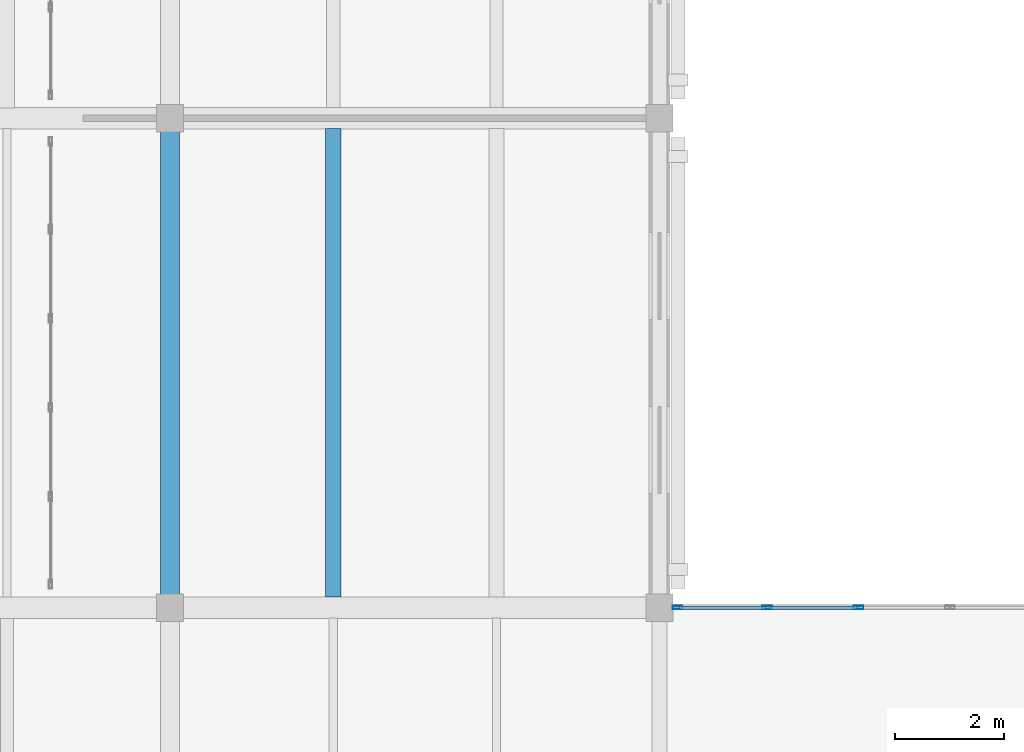
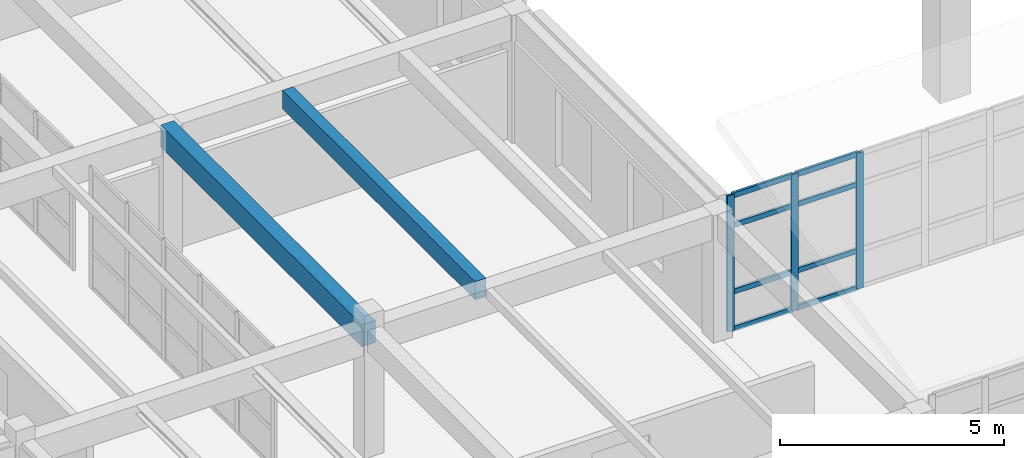
# One storey, part 7 of 156: 11 members, 2 beams, 1 element without a shape of its own.
"""IFC4 building model written with IfcOpenShell, lengths in metres."""

from ifc_helpers import new_model, si_unit, direction, frame, origin, origin_2d, place, context, subcontext, project, spatial, rectangle, hollow_rectangle, extrude, material, layer, layer_set, material_profile, profile_set, type_object, element, aggregate, save


model = new_model("IFC4")

# Units and contexts
model_context = context("Model", 3, precision=1e-05, world=origin(), true_north=direction((0.0, 1.0)))
body_context = subcontext(model_context, "Body", "Model", "MODEL_VIEW")
ifc_project = project(units=[si_unit("LENGTHUNIT", "METRE"), si_unit("AREAUNIT", "SQUARE_METRE"), si_unit("VOLUMEUNIT", "CUBIC_METRE"), si_unit("PLANEANGLEUNIT", "RADIAN"), si_unit("MASSUNIT", "GRAM", prefix="KILO")], contexts=[model_context])

# Site, building, storey
site_placement = place(None, origin())
site = spatial("IfcSite", under=ifc_project, at=site_placement, CompositionType="ELEMENT")
building_placement = place(site_placement, origin())
building = spatial("IfcBuilding", under=site, at=building_placement, Name="Ornek Quay Market", CompositionType="ELEMENT")
storey_placement = place(building_placement, frame((0.0, 0.0, 4.5)))
storey = spatial("IfcBuildingStorey", under=building, at=storey_placement, Name="L01", CompositionType="ELEMENT", Elevation=4.5)

# Beams
ifc_material_1 = material(Name="Concrete C35/45", Category="concrete")
ifc_material_profile_1 = material_profile(ifc_material_1, rectangle(XDim=0.35009765625, YDim=0.60009765625, at=origin_2d()), Name="RC 350x600", Category="concrete")
ifc_profile_set_1 = profile_set([ifc_material_profile_1], Name="Concrete C35/45")
beam_type_1 = type_object("IfcBeamType", Name="BM-RF-350x600", PredefinedType="BEAM", material=ifc_profile_set_1)
beam_1_placement = place(storey_placement, frame((18.0, 29.0, 3.179931640625), z_axis=(0.0, 1.0, 0.0), x_axis=(-1.0, 0.0, 0.0)))
element("IfcBeam", 1, at=beam_1_placement, inside=storey, type_object=beam_type_1, Name="Primary beam B-RF1-007", PredefinedType="BEAM", context=body_context, shape_type="SweptSolid", body=[
    extrude(rectangle(XDim=0.35009765625, YDim=0.60009765625, at=origin_2d()), origin(), (0.0, 0.0, 1.0), 9.0),
])
ifc_material_profile_2 = material_profile(ifc_material_1, rectangle(XDim=0.280029296875, YDim=0.5, at=origin_2d()), Name="RC 280x500", Category="concrete")
ifc_profile_set_2 = profile_set([ifc_material_profile_2], Name="Concrete C35/45")
beam_type_2 = type_object("IfcBeamType", Name="BM-SEC-280x500", PredefinedType="JOIST", material=ifc_profile_set_2)
beam_2_placement = place(storey_placement, frame((21.0, 29.19189453125, 3.22998046875), z_axis=(0.0, 1.0, 0.0), x_axis=(-1.0, 0.0, 0.0)))
element("IfcBeam", 2, at=beam_2_placement, inside=storey, type_object=beam_type_2, Name="Secondary joist B-SC2-035", PredefinedType="JOIST", context=body_context, shape_type="SweptSolid", body=[
    extrude(rectangle(XDim=0.280029296875, YDim=0.5, at=origin_2d()), origin(), (0.0, 0.0, 1.0), 8.6162109375),
])

# Curtain wall, members
ifc_material_2 = material(Name="Anodised bronze aluminium and triple low-e glass", Category="aluminium")
ifc_layer = layer(ifc_material_2, 0.199951171875, Name="Anodised bronze aluminium and triple low-e glass", Category="aluminium")
ifc_layer_set = layer_set([ifc_layer], Name="Anodised bronze aluminium and triple low-e glass")
curtain_wall_type = type_object("IfcCurtainWallType", Name="CW-CONC-MOD1800", PredefinedType="USERDEFINED", material=ifc_layer_set)
curtain_wall_placement = place(storey_placement, origin())
curtain_wall = element("IfcCurtainWall", 3, at=curtain_wall_placement, inside=storey, type_object=curtain_wall_type, Name="Curtain wall CW-015", ObjectType="CURTAIN WALL", PredefinedType="USERDEFINED")
ifc_material_3 = material(Name="Anodised aluminium 6063-T6", Category="aluminium")
ifc_material_profile_3 = material_profile(ifc_material_3, hollow_rectangle(XDim=0.06494140625, YDim=0.179931640625, WallThickness=0.00439453125, at=origin_2d()), Name="CW-MUL-65x180", Category="aluminium")
ifc_profile_set_3 = profile_set([ifc_material_profile_3], Name="Anodised aluminium 6063-T6")
member_type_1 = type_object("IfcMemberType", Name="CW-MUL-65x180", PredefinedType="MULLION", material=ifc_profile_set_3)
member_1_placement = place(storey_placement, frame((27.33251953125, 29.0, 0.0), z_axis=(0.0, 0.0, 1.0), x_axis=(0.0, 1.0, 0.0)))
member_1 = element("IfcMember", 4, at=member_1_placement, type_object=member_type_1, Name="CW-015 mullion 1", PredefinedType="MULLION", context=body_context, shape_type="SweptSolid", body=[
    extrude(hollow_rectangle(XDim=0.06494140625, YDim=0.179931640625, WallThickness=0.00439453125, at=origin_2d()), origin(), (0.0, 0.0, 1.0), 3.7099609375),
])
member_2_placement = place(storey_placement, frame((28.97998046875, 29.0, 0.0), z_axis=(0.0, 0.0, 1.0), x_axis=(0.0, 1.0, 0.0)))
member_2 = element("IfcMember", 5, at=member_2_placement, type_object=member_type_1, Name="CW-015 mullion 2", PredefinedType="MULLION", context=body_context, shape_type="SweptSolid", body=[
    extrude(hollow_rectangle(XDim=0.06494140625, YDim=0.179931640625, WallThickness=0.00439453125, at=origin_2d()), origin(), (0.0, 0.0, 1.0), 3.7099609375),
])
member_3_placement = place(storey_placement, frame((30.659912109375, 29.0, 0.0), z_axis=(0.0, 0.0, 1.0), x_axis=(0.0, 1.0, 0.0)))
member_3 = element("IfcMember", 6, at=member_3_placement, type_object=member_type_1, Name="CW-015 mullion 3", PredefinedType="MULLION", context=body_context, shape_type="SweptSolid", body=[
    extrude(hollow_rectangle(XDim=0.06494140625, YDim=0.179931640625, WallThickness=0.00439453125, at=origin_2d()), origin(), (0.0, 0.0, 1.0), 3.7099609375),
])
ifc_material_profile_4 = material_profile(ifc_material_3, hollow_rectangle(XDim=0.06494140625, YDim=0.139892578125, WallThickness=0.00439453125, at=origin_2d()), Name="CW-TRN-65x140", Category="aluminium")
ifc_profile_set_4 = profile_set([ifc_material_profile_4], Name="Anodised aluminium 6063-T6")
member_type_2 = type_object("IfcMemberType", Name="CW-TRN-65x140", PredefinedType="USERDEFINED", material=ifc_profile_set_4)
member_4_placement = place(storey_placement, frame((27.364990234375, 29.0, 0.032470703125), z_axis=(1.0, 0.0, 0.0), x_axis=(0.0, 1.0, 0.0)))
member_4 = element("IfcMember", 7, at=member_4_placement, type_object=member_type_2, Name="CW-015 transom 1.1", ObjectType="TRANSOM", PredefinedType="USERDEFINED", context=body_context, shape_type="SweptSolid", body=[
    extrude(hollow_rectangle(XDim=0.06494140625, YDim=0.139892578125, WallThickness=0.00439453125, at=origin_2d()), origin(), (0.0, 0.0, 1.0), 1.58251953125),
])
member_5_placement = place(storey_placement, frame((27.364990234375, 29.0, 1.050048828125), z_axis=(1.0, 0.0, 0.0), x_axis=(0.0, 1.0, 0.0)))
member_5 = element("IfcMember", 8, at=member_5_placement, type_object=member_type_2, Name="CW-015 transom 1.2", ObjectType="TRANSOM", PredefinedType="USERDEFINED", context=body_context, shape_type="SweptSolid", body=[
    extrude(hollow_rectangle(XDim=0.06494140625, YDim=0.139892578125, WallThickness=0.00439453125, at=origin_2d()), origin(), (0.0, 0.0, 1.0), 1.58251953125),
])
member_6_placement = place(storey_placement, frame((27.364990234375, 29.0, 2.860107421875), z_axis=(1.0, 0.0, 0.0), x_axis=(0.0, 1.0, 0.0)))
member_6 = element("IfcMember", 9, at=member_6_placement, type_object=member_type_2, Name="CW-015 transom 1.3", ObjectType="TRANSOM", PredefinedType="USERDEFINED", context=body_context, shape_type="SweptSolid", body=[
    extrude(hollow_rectangle(XDim=0.06494140625, YDim=0.139892578125, WallThickness=0.00439453125, at=origin_2d()), origin(), (0.0, 0.0, 1.0), 1.58251953125),
])
member_7_placement = place(storey_placement, frame((27.364990234375, 29.0, 3.677490234375), z_axis=(1.0, 0.0, 0.0), x_axis=(0.0, 1.0, 0.0)))
member_7 = element("IfcMember", 10, at=member_7_placement, type_object=member_type_2, Name="CW-015 transom 1.4", ObjectType="TRANSOM", PredefinedType="USERDEFINED", context=body_context, shape_type="SweptSolid", body=[
    extrude(hollow_rectangle(XDim=0.06494140625, YDim=0.139892578125, WallThickness=0.00439453125, at=origin_2d()), origin(), (0.0, 0.0, 1.0), 1.58251953125),
])
member_8_placement = place(storey_placement, frame((29.012451171875, 29.0, 0.032470703125), z_axis=(1.0, 0.0, 0.0), x_axis=(0.0, 1.0, 0.0)))
member_8 = element("IfcMember", 11, at=member_8_placement, type_object=member_type_2, Name="CW-015 transom 2.1", ObjectType="TRANSOM", PredefinedType="USERDEFINED", context=body_context, shape_type="SweptSolid", body=[
    extrude(hollow_rectangle(XDim=0.06494140625, YDim=0.139892578125, WallThickness=0.00439453125, at=origin_2d()), origin(), (0.0, 0.0, 1.0), 1.614990234375),
])
member_9_placement = place(storey_placement, frame((29.012451171875, 29.0, 1.050048828125), z_axis=(1.0, 0.0, 0.0), x_axis=(0.0, 1.0, 0.0)))
member_9 = element("IfcMember", 12, at=member_9_placement, type_object=member_type_2, Name="CW-015 transom 2.2", ObjectType="TRANSOM", PredefinedType="USERDEFINED", context=body_context, shape_type="SweptSolid", body=[
    extrude(hollow_rectangle(XDim=0.06494140625, YDim=0.139892578125, WallThickness=0.00439453125, at=origin_2d()), origin(), (0.0, 0.0, 1.0), 1.614990234375),
])
member_10_placement = place(storey_placement, frame((29.012451171875, 29.0, 2.860107421875), z_axis=(1.0, 0.0, 0.0), x_axis=(0.0, 1.0, 0.0)))
member_10 = element("IfcMember", 13, at=member_10_placement, type_object=member_type_2, Name="CW-015 transom 2.3", ObjectType="TRANSOM", PredefinedType="USERDEFINED", context=body_context, shape_type="SweptSolid", body=[
    extrude(hollow_rectangle(XDim=0.06494140625, YDim=0.139892578125, WallThickness=0.00439453125, at=origin_2d()), origin(), (0.0, 0.0, 1.0), 1.614990234375),
])
member_11_placement = place(storey_placement, frame((29.012451171875, 29.0, 3.677490234375), z_axis=(1.0, 0.0, 0.0), x_axis=(0.0, 1.0, 0.0)))
member_11 = element("IfcMember", 14, at=member_11_placement, type_object=member_type_2, Name="CW-015 transom 2.4", ObjectType="TRANSOM", PredefinedType="USERDEFINED", context=body_context, shape_type="SweptSolid", body=[
    extrude(hollow_rectangle(XDim=0.06494140625, YDim=0.139892578125, WallThickness=0.00439453125, at=origin_2d()), origin(), (0.0, 0.0, 1.0), 1.614990234375),
])
aggregate(curtain_wall, [member_1, member_2, member_3, member_4, member_5, member_6, member_7, member_8, member_9, member_10, member_11])

save(model, "model.ifc")
